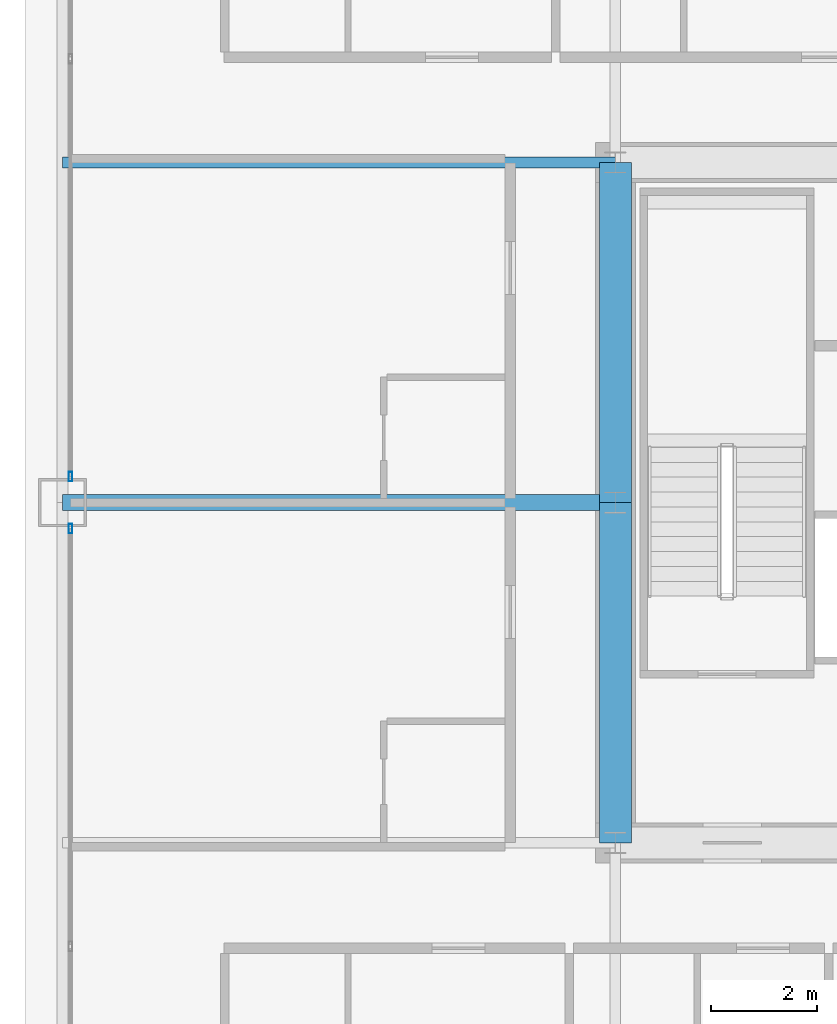
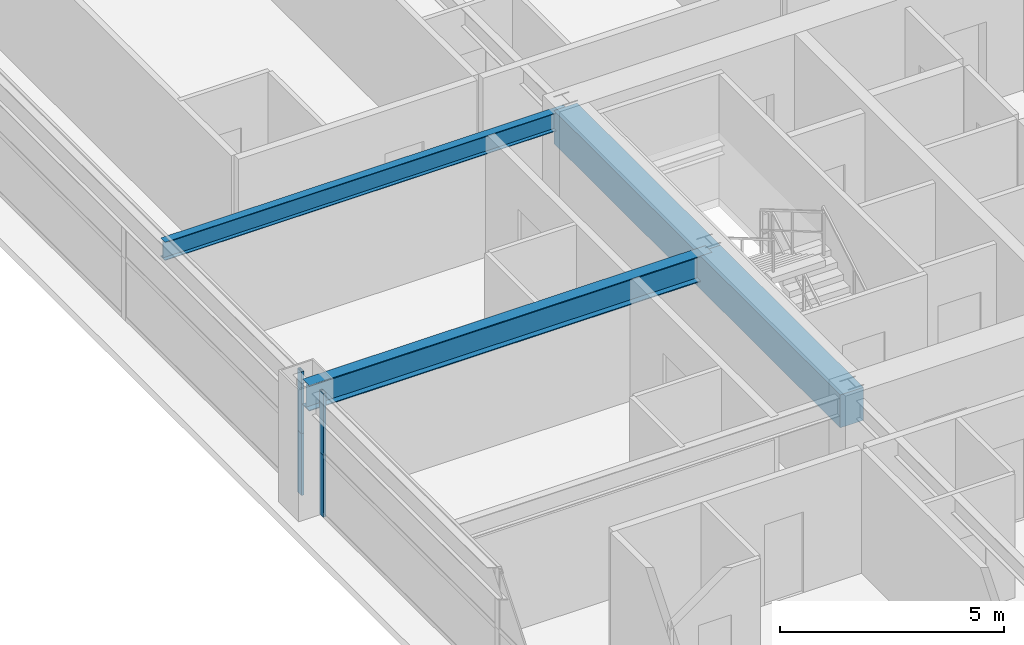
# One storey, part 12 of 39: 4 beams, 4 members, 2 elements without a shape of their own.
"""IFC4 building model written with IfcOpenShell, lengths in metres."""

from ifc_helpers import new_model, si_unit, direction, frame, origin, origin_2d, place, context, subcontext, project, spatial, rectangle, hollow_rectangle, i_section, extrude, source, transform, mapped, material, layer, layer_set, material_profile, profile_set, type_object, element, aggregate, save


model = new_model("IFC4")

# Units and contexts
model_context = context("Model", 3, precision=1e-05, world=origin(), true_north=direction((0.0, 1.0)))
body_context = subcontext(model_context, "Body", "Model", "MODEL_VIEW")
ifc_project = project(units=[si_unit("LENGTHUNIT", "METRE"), si_unit("AREAUNIT", "SQUARE_METRE"), si_unit("VOLUMEUNIT", "CUBIC_METRE"), si_unit("PLANEANGLEUNIT", "RADIAN"), si_unit("MASSUNIT", "GRAM", prefix="KILO"), si_unit("THERMODYNAMICTEMPERATUREUNIT", "KELVIN"), si_unit("POWERUNIT", "WATT")], contexts=[model_context])

# Site, building, storey
site_placement = place(None, origin())
site = spatial("IfcSite", under=ifc_project, at=site_placement, CompositionType="ELEMENT")
building_placement = place(site_placement, origin())
building = spatial("IfcBuilding", under=site, at=building_placement, Name="Yuzanri Waterfront Tower", CompositionType="ELEMENT")
storey_placement = place(building_placement, frame((0.0, 0.0, 156.0)))
storey = spatial("IfcBuildingStorey", under=building, at=storey_placement, Name="L41", CompositionType="ELEMENT", Elevation=156.0)

# Beams
ifc_material_1 = material(Name="Concrete C60", Category="concrete")
ifc_material_profile_1 = material_profile(ifc_material_1, rectangle(XDim=0.60009765625, YDim=0.89990234375, at=origin_2d()), Name="RC 600x900")
ifc_profile_set_1 = profile_set([ifc_material_profile_1], Name="Concrete C60")
beam_type_1 = type_object("IfcBeamType", Name="Core Coupling Lintel Concrete C60 600x900", PredefinedType="LINTEL", material=ifc_profile_set_1)
shared_shape_1 = source(origin(), body_context, "Body", "SweptSolid", [
    extrude(rectangle(XDim=0.60009765625, YDim=0.89990234375, at=origin_2d()), origin(), (0.0, 0.0, 1.0), 6.400146484375),
])
beam_1_placement = place(storey_placement, frame((23.800048828125, 19.39990234375, 2.929931640625), z_axis=(0.0, 1.0, 0.0), x_axis=(-1.0, 0.0, 0.0)))
element("IfcBeam", 1, at=beam_1_placement, inside=storey, type_object=beam_type_1, Name="L41 Core Tie Beam CW1", PredefinedType="LINTEL", context=body_context, shape_type="MappedRepresentation", body=[
    mapped(shared_shape_1, transform((0.0, 0.0, 0.0), scale=1.0)),
])
shared_shape_2 = source(origin(), body_context, "Body", "SweptSolid", [
    extrude(rectangle(XDim=0.60009765625, YDim=0.89990234375, at=origin_2d()), origin(), (0.0, 0.0, 1.0), 6.39990234375),
])
beam_2_placement = place(storey_placement, frame((23.800048828125, 25.800048828125, 2.929931640625), z_axis=(0.0, 1.0, 0.0), x_axis=(-1.0, 0.0, 0.0)))
element("IfcBeam", 2, at=beam_2_placement, inside=storey, type_object=beam_type_1, Name="L41 Core Tie Beam CW2", PredefinedType="LINTEL", context=body_context, shape_type="MappedRepresentation", body=[
    mapped(shared_shape_2, transform((0.0, 0.0, 0.0), scale=1.0)),
])
ifc_material_2 = material(Name="Steel Q355B", Category="steel")
ifc_material_profile_2 = material_profile(ifc_material_2, i_section(OverallWidth=0.300048828125, OverallDepth=0.699951171875, WebThickness=0.012939453125, FlangeThickness=0.02392578125, at=origin_2d()), Name="HN 700x300x13x24")
ifc_profile_set_2 = profile_set([ifc_material_profile_2], Name="Steel Q355B")
beam_type_2 = type_object("IfcBeamType", Name="Primary Floor Girder Q355B HN 700x300", PredefinedType="BEAM", material=ifc_profile_set_2)
shared_shape_3 = source(origin(), body_context, "Body", "SweptSolid", [
    extrude(i_section(OverallWidth=0.300048828125, OverallDepth=0.699951171875, WebThickness=0.012939453125, FlangeThickness=0.02392578125, at=origin_2d()), origin(), (0.0, 0.0, 1.0), 10.400146484375),
])
beam_3_placement = place(storey_placement, frame((23.800048828125, 25.800048828125, 3.030029296875), z_axis=(-1.0, 0.0, 0.0), x_axis=(0.0, -1.0, 0.0)))
element("IfcBeam", 3, at=beam_3_placement, inside=storey, type_object=beam_type_2, Name="L41 West Grid Girder", PredefinedType="BEAM", context=body_context, shape_type="MappedRepresentation", body=[
    mapped(shared_shape_3, transform((0.0, 0.0, 0.0), scale=1.0)),
])
ifc_material_3 = material(Name="Steel Q355B", Category="steel")
ifc_material_profile_3 = material_profile(ifc_material_3, i_section(OverallWidth=0.199951171875, OverallDepth=0.5, WebThickness=0.010009765625, FlangeThickness=0.01611328125, at=origin_2d()), Name="HN 500x200x10x16")
ifc_profile_set_3 = profile_set([ifc_material_profile_3], Name="Steel Q355B")
beam_type_3 = type_object("IfcBeamType", Name="Secondary Floor Beam Q355B HN 500x200", PredefinedType="BEAM", material=ifc_profile_set_3)
shared_shape_4 = source(origin(), body_context, "Body", "SweptSolid", [
    extrude(i_section(OverallWidth=0.199951171875, OverallDepth=0.5, WebThickness=0.010009765625, FlangeThickness=0.01611328125, at=origin_2d()), origin(), (0.0, 0.0, 1.0), 10.400146484375),
])
beam_4_placement = place(storey_placement, frame((23.800048828125, 32.199951171875, 3.1298828125), z_axis=(-1.0, 0.0, 0.0), x_axis=(0.0, -1.0, 0.0)))
element("IfcBeam", 4, at=beam_4_placement, inside=storey, type_object=beam_type_3, Name="L41 West-North Core Line Beam", PredefinedType="BEAM", context=body_context, shape_type="MappedRepresentation", body=[
    mapped(shared_shape_4, transform((0.0, 0.0, 0.0), scale=1.0)),
])

# Curtain wall, members
ifc_material_4 = material(Name="Anodized Architectural Bronze", Category="metal")
ifc_layer = layer(ifc_material_4, 0.159912109375)
ifc_layer_set = layer_set([ifc_layer], Name="Anodized Architectural Bronze")
curtain_wall_type = type_object("IfcCurtainWallType", Name="Anodized Bronze Hotel Upper-Tier Solar-Control Unitized Curtain Wall 7800", PredefinedType="NOTDEFINED", material=ifc_layer_set)
curtain_wall_1_placement = place(storey_placement, origin())
curtain_wall_1 = element("IfcCurtainWall", 5, at=curtain_wall_1_placement, inside=storey, type_object=curtain_wall_type, Name="L41 Curtain Wall CW-L41-WL", PredefinedType="NOTDEFINED")
ifc_material_5 = material(Name="Anodized Architectural Bronze", Category="metal")
ifc_material_profile_4 = material_profile(ifc_material_5, hollow_rectangle(XDim=0.070068359375, YDim=0.179931640625, WallThickness=0.00390625, at=origin_2d()), Name="CWM 70x180")
ifc_profile_set_4 = profile_set([ifc_material_profile_4], Name="Anodized Architectural Bronze")
member_type = type_object("IfcMemberType", Name="Anodized Bronze Standard Curtain-Wall Mullion 70x180", PredefinedType="MULLION", material=ifc_profile_set_4)
shared_shape_5 = source(origin(), body_context, "Body", "SweptSolid", [
    extrude(hollow_rectangle(XDim=0.070068359375, YDim=0.179931640625, WallThickness=0.00390625, at=origin_2d()), origin(), (0.0, 0.0, 1.0), 1.68798828125),
])
member_1_placement = place(storey_placement, frame((13.550048828125, 25.31005859375, 0.0), z_axis=(0.0, 0.0, 1.0), x_axis=(1.0, 0.0, 0.0)))
member_1 = element("IfcMember", 6, at=member_1_placement, type_object=member_type, Name="CW-L41-WL Lower Mullion 02", PredefinedType="MULLION", context=body_context, shape_type="MappedRepresentation", body=[
    mapped(shared_shape_5, transform((0.0, 0.0, 0.0), scale=1.0)),
])
member_2_placement = place(storey_placement, frame((13.550048828125, 25.31005859375, 1.69189453125), z_axis=(0.0, 0.0, 1.0), x_axis=(1.0, 0.0, 0.0)))
member_2 = element("IfcMember", 7, at=member_2_placement, type_object=member_type, Name="CW-L41-WL Upper Mullion 02", PredefinedType="MULLION", context=body_context, shape_type="MappedRepresentation", body=[
    mapped(shared_shape_5, transform((0.0, 0.0, 0.0), scale=1.0)),
])
aggregate(curtain_wall_1, [member_1, member_2])

curtain_wall_2_placement = place(storey_placement, origin())
curtain_wall_2 = element("IfcCurtainWall", 8, at=curtain_wall_2_placement, inside=storey, type_object=curtain_wall_type, Name="L41 Curtain Wall CW-L41-WR", PredefinedType="NOTDEFINED")
member_3_placement = place(storey_placement, frame((13.550048828125, 26.2900390625, 0.0), z_axis=(0.0, 0.0, 1.0), x_axis=(1.0, 0.0, 0.0)))
member_3 = element("IfcMember", 9, at=member_3_placement, type_object=member_type, Name="CW-L41-WR Lower Mullion 00", PredefinedType="MULLION", context=body_context, shape_type="MappedRepresentation", body=[
    mapped(shared_shape_5, transform((0.0, 0.0, 0.0), scale=1.0)),
])
member_4_placement = place(storey_placement, frame((13.550048828125, 26.2900390625, 1.69189453125), z_axis=(0.0, 0.0, 1.0), x_axis=(1.0, 0.0, 0.0)))
member_4 = element("IfcMember", 10, at=member_4_placement, type_object=member_type, Name="CW-L41-WR Upper Mullion 00", PredefinedType="MULLION", context=body_context, shape_type="MappedRepresentation", body=[
    mapped(shared_shape_5, transform((0.0, 0.0, 0.0), scale=1.0)),
])
aggregate(curtain_wall_2, [member_3, member_4])

save(model, "model.ifc")
